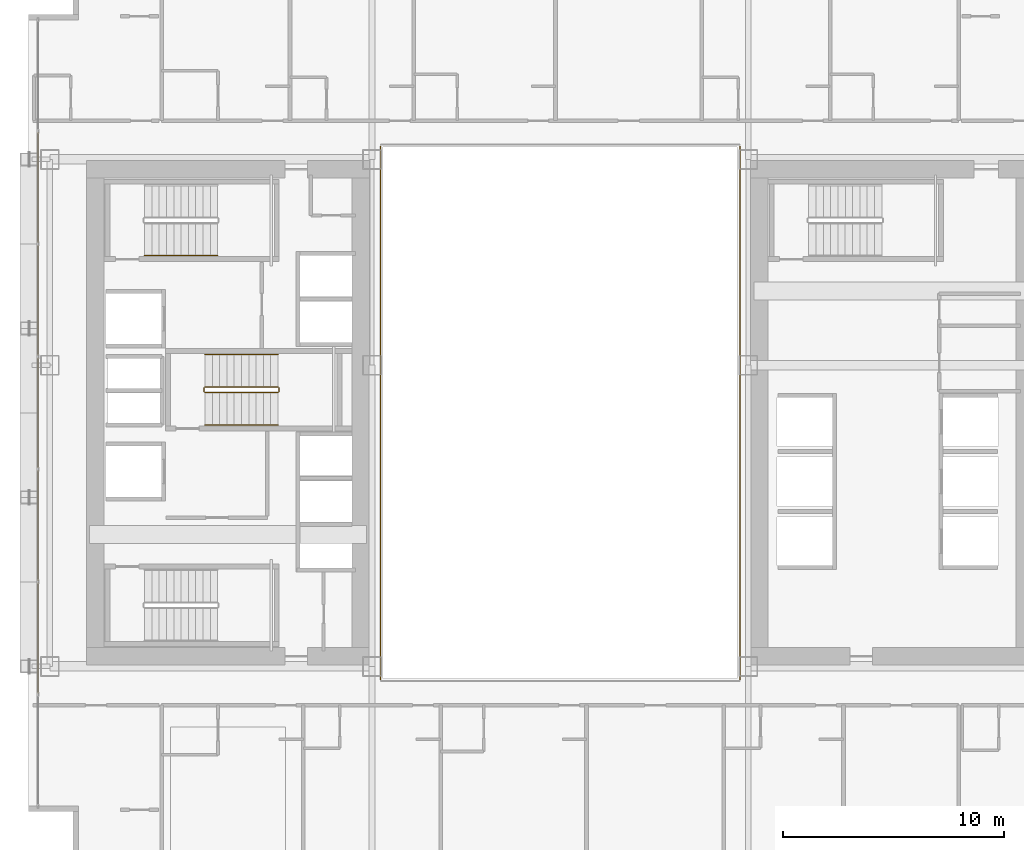
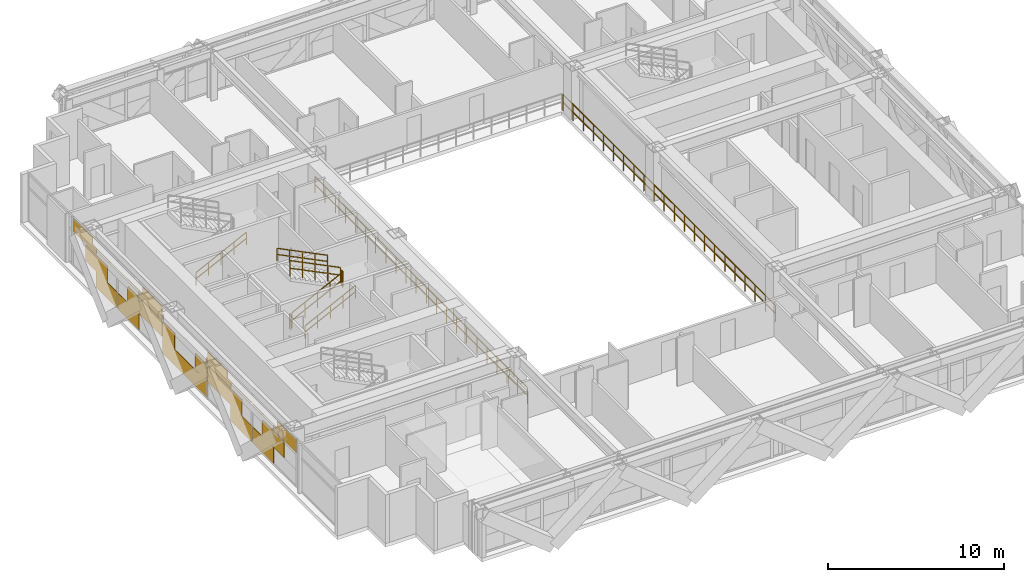
# One storey, part 36 of 38: 9 railings, 1 covering.
"""IFC4 building model written with IfcOpenShell, lengths in metres."""

from ifc_helpers import new_model, si_unit, direction, frame, origin, origin_2d, place, context, subcontext, project, spatial, rectangle, extrude, material, layer, layer_set, type_object, element, save


model = new_model("IFC4")

# Units and contexts
model_context = context("Model", 3, precision=1e-05, world=origin(), true_north=direction((0.0, 1.0)))
body_context = subcontext(model_context, "Body", "Model", "MODEL_VIEW")
ifc_project = project(units=[si_unit("LENGTHUNIT", "METRE"), si_unit("AREAUNIT", "SQUARE_METRE"), si_unit("VOLUMEUNIT", "CUBIC_METRE"), si_unit("PLANEANGLEUNIT", "RADIAN"), si_unit("MASSUNIT", "GRAM", prefix="KILO")], contexts=[model_context])

# Site, building, storey
site_placement = place(None, origin())
site = spatial("IfcSite", under=ifc_project, at=site_placement, CompositionType="ELEMENT")
building_placement = place(site_placement, origin())
building = spatial("IfcBuilding", under=site, at=building_placement, Name="Ocotamira Hotel", CompositionType="ELEMENT")
storey_placement = place(building_placement, frame((0.0, 0.0, 45.60009765625)))
storey = spatial("IfcBuildingStorey", under=building, at=storey_placement, Name="L10", CompositionType="ELEMENT", Elevation=45.60009765625)

# Covering
ifc_material_1 = material(Name="Insulated pale-metal aluminium spandrel panel", Category="aluminium")
ifc_layer = layer(ifc_material_1, 0.044921875)
ifc_layer_set = layer_set([ifc_layer], Name="Insulated pale-metal aluminium spandrel panel")
covering_type = type_object("IfcCoveringType", Name="COV-INFILL-45", PredefinedType="CLADDING", material=ifc_layer_set)
covering_placement = place(storey_placement, origin())
element("IfcCovering", 1, at=covering_placement, inside=storey, type_object=covering_type, Name="L10 Curtain Wall Infill CW-2 CW-L10-W", PredefinedType="CLADDING", context=body_context, shape_type="SweptSolid", body=[
    extrude(rectangle(XDim=2.49658203125, YDim=0.044921875, at=origin_2d()), frame((8.419921875, 15.977783203125, 1.194091796875), z_axis=(0.0, 0.0, 1.0), x_axis=(0.0, 1.0, 0.0)), (0.0, 0.0, 1.0), 1.11767578125),
    extrude(rectangle(XDim=2.415283203125, YDim=0.044921875, at=origin_2d()), frame((8.419921875, 17.123291015625, 0.0751953125), z_axis=(0.0, 0.0, 1.0), x_axis=(0.0, 1.0, 0.0)), (0.0, 0.0, 1.0), 1.117919921875),
    extrude(rectangle(XDim=2.634521484375, YDim=0.044921875, at=origin_2d()), frame((8.419921875, 14.6435546875, 2.3876953125), z_axis=(0.0, 0.0, 1.0), x_axis=(0.0, 1.0, 0.0)), (0.0, 0.0, 1.0), 0.366943359375),
    extrude(rectangle(XDim=5.004638671875, YDim=0.044921875, at=origin_2d()), frame((8.419921875, 15.82861328125, 2.755859375), z_axis=(0.0, 0.0, 1.0), x_axis=(0.0, 1.0, 0.0)), (0.0, 0.0, 1.0), 0.033203125),
    extrude(rectangle(XDim=2.2080078125, YDim=0.044921875, at=origin_2d()), frame((8.419921875, 14.43017578125, 2.7900390625), z_axis=(0.0, 0.0, 1.0), x_axis=(0.0, 1.0, 0.0)), (0.0, 0.0, 1.0), 0.484130859375),
    extrude(rectangle(XDim=2.40576171875, YDim=0.044921875, at=origin_2d()), frame((8.419921875, 19.61474609375, 0.0751953125), z_axis=(0.0, 0.0, 1.0), x_axis=(0.0, 1.0, 0.0)), (0.0, 0.0, 1.0), 1.117919921875),
    extrude(rectangle(XDim=3.90966796875, YDim=0.044921875, at=origin_2d()), frame((8.419921875, 21.4619140625, 1.194091796875), z_axis=(0.0, 0.0, 1.0), x_axis=(0.0, 1.0, 0.0)), (0.0, 0.0, 1.0), 1.11767578125),
    extrude(rectangle(XDim=5.004638671875, YDim=0.044921875, at=origin_2d()), frame((8.419921875, 20.914306640625, 2.755859375), z_axis=(0.0, 0.0, 1.0), x_axis=(0.0, 1.0, 0.0)), (0.0, 0.0, 1.0), 0.033203125),
    extrude(rectangle(XDim=2.64404296875, YDim=0.044921875, at=origin_2d()), frame((8.419921875, 22.094482421875, 2.3876953125), z_axis=(0.0, 0.0, 1.0), x_axis=(0.0, 1.0, 0.0)), (0.0, 0.0, 1.0), 0.366943359375),
    extrude(rectangle(XDim=2.217529296875, YDim=0.044921875, at=origin_2d()), frame((8.419921875, 22.307861328125, 2.7900390625), z_axis=(0.0, 0.0, 1.0), x_axis=(0.0, 1.0, 0.0)), (0.0, 0.0, 1.0), 0.484130859375),
    extrude(rectangle(XDim=5.004638671875, YDim=0.044921875, at=origin_2d()), frame((8.419921875, 26.0, 0.0751953125), z_axis=(0.0, 0.0, 1.0), x_axis=(0.0, 1.0, 0.0)), (0.0, 0.0, 1.0), 1.117919921875),
    extrude(rectangle(XDim=1.362060546875, YDim=0.044921875, at=origin_2d()), frame((8.419921875, 24.1787109375, 1.194091796875), z_axis=(0.0, 0.0, 1.0), x_axis=(0.0, 1.0, 0.0)), (0.0, 0.0, 1.0), 1.11767578125),
    extrude(rectangle(XDim=1.362060546875, YDim=0.044921875, at=origin_2d()), frame((8.419921875, 27.8212890625, 1.194091796875), z_axis=(0.0, 0.0, 1.0), x_axis=(0.0, 1.0, 0.0)), (0.0, 0.0, 1.0), 1.11767578125),
    extrude(rectangle(XDim=0.096435546875, YDim=0.044921875, at=origin_2d()), frame((8.419921875, 23.5458984375, 2.387939453125), z_axis=(0.0, 0.0, 1.0), x_axis=(0.0, 1.0, 0.0)), (0.0, 0.0, 1.0), 0.4013671875),
    extrude(rectangle(XDim=0.096435546875, YDim=0.044921875, at=origin_2d()), frame((8.419921875, 28.4541015625, 2.387939453125), z_axis=(0.0, 0.0, 1.0), x_axis=(0.0, 1.0, 0.0)), (0.0, 0.0, 1.0), 0.4013671875),
    extrude(rectangle(XDim=3.90966796875, YDim=0.044921875, at=origin_2d()), frame((8.419921875, 30.5380859375, 1.194091796875), z_axis=(0.0, 0.0, 1.0), x_axis=(0.0, 1.0, 0.0)), (0.0, 0.0, 1.0), 1.11767578125),
    extrude(rectangle(XDim=2.40576171875, YDim=0.044921875, at=origin_2d()), frame((8.419921875, 32.38525390625, 0.0751953125), z_axis=(0.0, 0.0, 1.0), x_axis=(0.0, 1.0, 0.0)), (0.0, 0.0, 1.0), 1.117919921875),
    extrude(rectangle(XDim=2.64404296875, YDim=0.044921875, at=origin_2d()), frame((8.419921875, 29.905517578125, 2.3876953125), z_axis=(0.0, 0.0, 1.0), x_axis=(0.0, 1.0, 0.0)), (0.0, 0.0, 1.0), 0.366943359375),
    extrude(rectangle(XDim=5.004638671875, YDim=0.044921875, at=origin_2d()), frame((8.419921875, 31.085693359375, 2.755859375), z_axis=(0.0, 0.0, 1.0), x_axis=(0.0, 1.0, 0.0)), (0.0, 0.0, 1.0), 0.033203125),
    extrude(rectangle(XDim=2.217529296875, YDim=0.044921875, at=origin_2d()), frame((8.419921875, 29.692138671875, 2.7900390625), z_axis=(0.0, 0.0, 1.0), x_axis=(0.0, 1.0, 0.0)), (0.0, 0.0, 1.0), 0.484130859375),
    extrude(rectangle(XDim=2.415283203125, YDim=0.044921875, at=origin_2d()), frame((8.419921875, 34.876708984375, 0.0751953125), z_axis=(0.0, 0.0, 1.0), x_axis=(0.0, 1.0, 0.0)), (0.0, 0.0, 1.0), 1.117919921875),
    extrude(rectangle(XDim=2.49658203125, YDim=0.044921875, at=origin_2d()), frame((8.419921875, 36.022216796875, 1.194091796875), z_axis=(0.0, 0.0, 1.0), x_axis=(0.0, 1.0, 0.0)), (0.0, 0.0, 1.0), 1.11767578125),
    extrude(rectangle(XDim=5.004638671875, YDim=0.044921875, at=origin_2d()), frame((8.419921875, 36.17138671875, 2.755859375), z_axis=(0.0, 0.0, 1.0), x_axis=(0.0, 1.0, 0.0)), (0.0, 0.0, 1.0), 0.033203125),
    extrude(rectangle(XDim=2.634521484375, YDim=0.044921875, at=origin_2d()), frame((8.419921875, 37.3564453125, 2.3876953125), z_axis=(0.0, 0.0, 1.0), x_axis=(0.0, 1.0, 0.0)), (0.0, 0.0, 1.0), 0.366943359375),
    extrude(rectangle(XDim=2.2080078125, YDim=0.044921875, at=origin_2d()), frame((8.419921875, 37.56982421875, 2.7900390625), z_axis=(0.0, 0.0, 1.0), x_axis=(0.0, 1.0, 0.0)), (0.0, 0.0, 1.0), 0.484130859375),
])

# Railings
ifc_material_2 = material(Name="Painted steel stair guardrail", Category="steel")
railing_type_1 = type_object("IfcRailingType", Name="RL-EDGE-1150", PredefinedType="GUARDRAIL", material=ifc_material_2)
railing_1_placement = place(storey_placement, frame((40.1201171875, 13.9599609375, 0.0)))
element("IfcRailing", 2, at=railing_1_placement, inside=storey, type_object=railing_type_1, Name="L10 Central Atrium Edge Guardrail E", PredefinedType="GUARDRAIL", context=body_context, shape_type="SweptSolid", body=[
    extrude(rectangle(XDim=0.048095703125, YDim=0.048095703125, at=origin_2d()), frame((0.0, 0.0, 1.1259765625), z_axis=(0.0, 1.0, 0.0), x_axis=(-1.0, 0.0, 0.0)), (0.0, 0.0, 1.0), 24.080078125),
    extrude(rectangle(XDim=0.048095703125, YDim=0.048095703125, at=origin_2d()), frame((0.0, 0.0, 0.574951171875), z_axis=(0.0, 1.0, 0.0), x_axis=(-1.0, 0.0, 0.0)), (0.0, 0.0, 1.0), 24.080078125),
    extrude(rectangle(XDim=0.0419921875, YDim=0.0419921875, at=origin_2d()), origin(), (0.0, 0.0, 1.0), 1.101806640625),
    extrude(rectangle(XDim=0.0419921875, YDim=0.0419921875, at=origin_2d()), frame((0.0, 1.146728515625, 0.0)), (0.0, 0.0, 1.0), 1.101806640625),
    extrude(rectangle(XDim=0.0419921875, YDim=0.0419921875, at=origin_2d()), frame((0.0, 2.29345703125, 0.0)), (0.0, 0.0, 1.0), 1.101806640625),
    extrude(rectangle(XDim=0.0419921875, YDim=0.0419921875, at=origin_2d()), frame((0.0, 3.43994140625, 0.0)), (0.0, 0.0, 1.0), 1.101806640625),
    extrude(rectangle(XDim=0.0419921875, YDim=0.0419921875, at=origin_2d()), frame((0.0, 4.586669921875, 0.0)), (0.0, 0.0, 1.0), 1.101806640625),
    extrude(rectangle(XDim=0.0419921875, YDim=0.0419921875, at=origin_2d()), frame((0.0, 5.7333984375, 0.0)), (0.0, 0.0, 1.0), 1.101806640625),
    extrude(rectangle(XDim=0.0419921875, YDim=0.0419921875, at=origin_2d()), frame((0.0, 6.880126953125, 0.0)), (0.0, 0.0, 1.0), 1.101806640625),
    extrude(rectangle(XDim=0.0419921875, YDim=0.0419921875, at=origin_2d()), frame((0.0, 8.026611328125, 0.0)), (0.0, 0.0, 1.0), 1.101806640625),
    extrude(rectangle(XDim=0.0419921875, YDim=0.0419921875, at=origin_2d()), frame((0.0, 9.17333984375, 0.0)), (0.0, 0.0, 1.0), 1.101806640625),
    extrude(rectangle(XDim=0.0419921875, YDim=0.0419921875, at=origin_2d()), frame((0.0, 10.320068359375, 0.0)), (0.0, 0.0, 1.0), 1.101806640625),
    extrude(rectangle(XDim=0.0419921875, YDim=0.0419921875, at=origin_2d()), frame((0.0, 11.466796875, 0.0)), (0.0, 0.0, 1.0), 1.101806640625),
    extrude(rectangle(XDim=0.0419921875, YDim=0.0419921875, at=origin_2d()), frame((0.0, 12.61328125, 0.0)), (0.0, 0.0, 1.0), 1.101806640625),
    extrude(rectangle(XDim=0.0419921875, YDim=0.0419921875, at=origin_2d()), frame((0.0, 13.760009765625, 0.0)), (0.0, 0.0, 1.0), 1.101806640625),
    extrude(rectangle(XDim=0.0419921875, YDim=0.0419921875, at=origin_2d()), frame((0.0, 14.90673828125, 0.0)), (0.0, 0.0, 1.0), 1.101806640625),
    extrude(rectangle(XDim=0.0419921875, YDim=0.0419921875, at=origin_2d()), frame((0.0, 16.053466796875, 0.0)), (0.0, 0.0, 1.0), 1.101806640625),
    extrude(rectangle(XDim=0.0419921875, YDim=0.0419921875, at=origin_2d()), frame((0.0, 17.199951171875, 0.0)), (0.0, 0.0, 1.0), 1.101806640625),
    extrude(rectangle(XDim=0.0419921875, YDim=0.0419921875, at=origin_2d()), frame((0.0, 18.3466796875, 0.0)), (0.0, 0.0, 1.0), 1.101806640625),
    extrude(rectangle(XDim=0.0419921875, YDim=0.0419921875, at=origin_2d()), frame((0.0, 19.493408203125, 0.0)), (0.0, 0.0, 1.0), 1.101806640625),
    extrude(rectangle(XDim=0.0419921875, YDim=0.0419921875, at=origin_2d()), frame((0.0, 20.64013671875, 0.0)), (0.0, 0.0, 1.0), 1.101806640625),
    extrude(rectangle(XDim=0.0419921875, YDim=0.0419921875, at=origin_2d()), frame((0.0, 21.78662109375, 0.0)), (0.0, 0.0, 1.0), 1.101806640625),
    extrude(rectangle(XDim=0.0419921875, YDim=0.0419921875, at=origin_2d()), frame((0.0, 22.933349609375, 0.0)), (0.0, 0.0, 1.0), 1.101806640625),
    extrude(rectangle(XDim=0.0419921875, YDim=0.0419921875, at=origin_2d()), frame((0.0, 24.080078125, 0.0)), (0.0, 0.0, 1.0), 1.101806640625),
])
railing_2_placement = place(storey_placement, frame((23.8798828125, 38.0400390625, 0.0)))
element("IfcRailing", 3, at=railing_2_placement, inside=storey, type_object=railing_type_1, Name="L10 Central Atrium Edge Guardrail W", PredefinedType="GUARDRAIL", context=body_context, shape_type="SweptSolid", body=[
    extrude(rectangle(XDim=0.048095703125, YDim=0.048095703125, at=origin_2d()), frame((0.0, 0.0, 1.1259765625), z_axis=(0.0, -1.0, 0.0), x_axis=(1.0, 0.0, 0.0)), (0.0, 0.0, 1.0), 24.080078125),
    extrude(rectangle(XDim=0.048095703125, YDim=0.048095703125, at=origin_2d()), frame((0.0, 0.0, 0.574951171875), z_axis=(0.0, -1.0, 0.0), x_axis=(1.0, 0.0, 0.0)), (0.0, 0.0, 1.0), 24.080078125),
    extrude(rectangle(XDim=0.0419921875, YDim=0.0419921875, at=origin_2d()), origin(), (0.0, 0.0, 1.0), 1.101806640625),
    extrude(rectangle(XDim=0.0419921875, YDim=0.0419921875, at=origin_2d()), frame((0.0, -1.146728515625, 0.0)), (0.0, 0.0, 1.0), 1.101806640625),
    extrude(rectangle(XDim=0.0419921875, YDim=0.0419921875, at=origin_2d()), frame((0.0, -2.29345703125, 0.0)), (0.0, 0.0, 1.0), 1.101806640625),
    extrude(rectangle(XDim=0.0419921875, YDim=0.0419921875, at=origin_2d()), frame((0.0, -3.43994140625, 0.0)), (0.0, 0.0, 1.0), 1.101806640625),
    extrude(rectangle(XDim=0.0419921875, YDim=0.0419921875, at=origin_2d()), frame((0.0, -4.586669921875, 0.0)), (0.0, 0.0, 1.0), 1.101806640625),
    extrude(rectangle(XDim=0.0419921875, YDim=0.0419921875, at=origin_2d()), frame((0.0, -5.7333984375, 0.0)), (0.0, 0.0, 1.0), 1.101806640625),
    extrude(rectangle(XDim=0.0419921875, YDim=0.0419921875, at=origin_2d()), frame((0.0, -6.880126953125, 0.0)), (0.0, 0.0, 1.0), 1.101806640625),
    extrude(rectangle(XDim=0.0419921875, YDim=0.0419921875, at=origin_2d()), frame((0.0, -8.026611328125, 0.0)), (0.0, 0.0, 1.0), 1.101806640625),
    extrude(rectangle(XDim=0.0419921875, YDim=0.0419921875, at=origin_2d()), frame((0.0, -9.17333984375, 0.0)), (0.0, 0.0, 1.0), 1.101806640625),
    extrude(rectangle(XDim=0.0419921875, YDim=0.0419921875, at=origin_2d()), frame((0.0, -10.320068359375, 0.0)), (0.0, 0.0, 1.0), 1.101806640625),
    extrude(rectangle(XDim=0.0419921875, YDim=0.0419921875, at=origin_2d()), frame((0.0, -11.466796875, 0.0)), (0.0, 0.0, 1.0), 1.101806640625),
    extrude(rectangle(XDim=0.0419921875, YDim=0.0419921875, at=origin_2d()), frame((0.0, -12.61328125, 0.0)), (0.0, 0.0, 1.0), 1.101806640625),
    extrude(rectangle(XDim=0.0419921875, YDim=0.0419921875, at=origin_2d()), frame((0.0, -13.760009765625, 0.0)), (0.0, 0.0, 1.0), 1.101806640625),
    extrude(rectangle(XDim=0.0419921875, YDim=0.0419921875, at=origin_2d()), frame((0.0, -14.90673828125, 0.0)), (0.0, 0.0, 1.0), 1.101806640625),
    extrude(rectangle(XDim=0.0419921875, YDim=0.0419921875, at=origin_2d()), frame((0.0, -16.053466796875, 0.0)), (0.0, 0.0, 1.0), 1.101806640625),
    extrude(rectangle(XDim=0.0419921875, YDim=0.0419921875, at=origin_2d()), frame((0.0, -17.199951171875, 0.0)), (0.0, 0.0, 1.0), 1.101806640625),
    extrude(rectangle(XDim=0.0419921875, YDim=0.0419921875, at=origin_2d()), frame((0.0, -18.3466796875, 0.0)), (0.0, 0.0, 1.0), 1.101806640625),
    extrude(rectangle(XDim=0.0419921875, YDim=0.0419921875, at=origin_2d()), frame((0.0, -19.493408203125, 0.0)), (0.0, 0.0, 1.0), 1.101806640625),
    extrude(rectangle(XDim=0.0419921875, YDim=0.0419921875, at=origin_2d()), frame((0.0, -20.64013671875, 0.0)), (0.0, 0.0, 1.0), 1.101806640625),
    extrude(rectangle(XDim=0.0419921875, YDim=0.0419921875, at=origin_2d()), frame((0.0, -21.78662109375, 0.0)), (0.0, 0.0, 1.0), 1.101806640625),
    extrude(rectangle(XDim=0.0419921875, YDim=0.0419921875, at=origin_2d()), frame((0.0, -22.933349609375, 0.0)), (0.0, 0.0, 1.0), 1.101806640625),
    extrude(rectangle(XDim=0.0419921875, YDim=0.0419921875, at=origin_2d()), frame((0.0, -24.080078125, 0.0)), (0.0, 0.0, 1.0), 1.101806640625),
])
ifc_material_3 = material(Name="Brushed stainless steel handrail", Category="steel")
railing_type_2 = type_object("IfcRailingType", Name="RL-HAND-900", PredefinedType="HANDRAIL", material=ifc_material_3)
for number, where, name in (
    (4, (13.22998046875, 33.10009765625, 0.3271484375), "L10 ST-2 stair handrail 1"),
    (5, (15.9599609375, 25.449951171875, 0.3271484375), "L10 ST-3 stair handrail 1"),
):
    element("IfcRailing", number, at=place(storey_placement, frame(where)), inside=storey, type_object=railing_type_2, Name=name, PredefinedType="HANDRAIL", context=body_context, shape_type="SweptSolid", body=[
        extrude(rectangle(XDim=0.048095703125, YDim=0.048095703125, at=origin_2d()), frame((0.0, 0.0, 0.8759765625), z_axis=(0.895893744519, 0.0, 0.4442683857), x_axis=(0.0, 1.0, 0.0)), (0.0, 0.0, 1.0), 3.68359375),
        extrude(rectangle(XDim=0.048095703125, YDim=0.048095703125, at=origin_2d()), frame((0.0, 0.0, 0.449951171875), z_axis=(0.895893744519, 0.0, 0.4442683857), x_axis=(0.0, 1.0, 0.0)), (0.0, 0.0, 1.0), 3.68359375),
        extrude(rectangle(XDim=0.0419921875, YDim=0.0419921875, at=origin_2d()), origin(), (0.0, 0.0, 1.0), 0.851806640625),
        extrude(rectangle(XDim=0.0419921875, YDim=0.0419921875, at=origin_2d()), frame((0.824951171875, 0.0, 0.4091796875)), (0.0, 0.0, 1.0), 0.851806640625),
        extrude(rectangle(XDim=0.0419921875, YDim=0.0419921875, at=origin_2d()), frame((1.64990234375, 0.0, 0.818359375)), (0.0, 0.0, 1.0), 0.851806640625),
        extrude(rectangle(XDim=0.0419921875, YDim=0.0419921875, at=origin_2d()), frame((2.47509765625, 0.0, 1.227294921875)), (0.0, 0.0, 1.0), 0.851806640625),
        extrude(rectangle(XDim=0.0419921875, YDim=0.0419921875, at=origin_2d()), frame((3.300048828125, 0.0, 1.636474609375)), (0.0, 0.0, 1.0), 0.851806640625),
    ])
railing_3_placement = place(storey_placement, frame((19.260009765625, 28.6298828125, 2.127197265625)))
element("IfcRailing", 6, at=railing_3_placement, inside=storey, type_object=railing_type_2, Name="L10 ST-3 stair handrail 2", PredefinedType="HANDRAIL", context=body_context, shape_type="SweptSolid", body=[
    extrude(rectangle(XDim=0.048095703125, YDim=0.048095703125, at=origin_2d()), frame((0.0, 0.0, 0.8759765625), z_axis=(-0.895920123917, 0.0, 0.444215186098), x_axis=(0.0, -1.0, 0.0)), (0.0, 0.0, 1.0), 3.683349609375),
    extrude(rectangle(XDim=0.048095703125, YDim=0.048095703125, at=origin_2d()), frame((0.0, 0.0, 0.449951171875), z_axis=(-0.895920123917, 0.0, 0.444215186098), x_axis=(0.0, -1.0, 0.0)), (0.0, 0.0, 1.0), 3.683349609375),
    extrude(rectangle(XDim=0.0419921875, YDim=0.0419921875, at=origin_2d()), origin(), (0.0, 0.0, 1.0), 0.851806640625),
    extrude(rectangle(XDim=0.0419921875, YDim=0.0419921875, at=origin_2d()), frame((-0.824951171875, 0.0, 0.4091796875)), (0.0, 0.0, 1.0), 0.851806640625),
    extrude(rectangle(XDim=0.0419921875, YDim=0.0419921875, at=origin_2d()), frame((-1.64990234375, 0.0, 0.818115234375)), (0.0, 0.0, 1.0), 0.851806640625),
    extrude(rectangle(XDim=0.0419921875, YDim=0.0419921875, at=origin_2d()), frame((-2.47509765625, 0.0, 1.22705078125)), (0.0, 0.0, 1.0), 0.851806640625),
    extrude(rectangle(XDim=0.0419921875, YDim=0.0419921875, at=origin_2d()), frame((-3.300048828125, 0.0, 1.63623046875)), (0.0, 0.0, 1.0), 0.851806640625),
])
railing_type_3 = type_object("IfcRailingType", Name="RL-STAIR-1100", PredefinedType="GUARDRAIL", material=ifc_material_2)
railing_4_placement = place(storey_placement, frame((15.9599609375, 26.909912109375, 0.16357421875)))
element("IfcRailing", 7, at=railing_4_placement, inside=storey, type_object=railing_type_3, Name="L10 ST-3 stair guard 1", PredefinedType="GUARDRAIL", context=body_context, shape_type="SweptSolid", body=[
    extrude(rectangle(XDim=0.048095703125, YDim=0.048095703125, at=origin_2d()), frame((0.0, 0.0, 1.076171875), z_axis=(0.895920123917, 0.0, 0.444215186098), x_axis=(0.0, 1.0, 0.0)), (0.0, 0.0, 1.0), 3.683349609375),
    extrude(rectangle(XDim=0.048095703125, YDim=0.048095703125, at=origin_2d()), frame((0.0, 0.0, 0.550048828125), z_axis=(0.895920123917, 0.0, 0.444215186098), x_axis=(0.0, 1.0, 0.0)), (0.0, 0.0, 1.0), 3.683349609375),
    extrude(rectangle(XDim=0.0419921875, YDim=0.0419921875, at=origin_2d()), origin(), (0.0, 0.0, 1.0), 1.052001953125),
    extrude(rectangle(XDim=0.0419921875, YDim=0.0419921875, at=origin_2d()), frame((0.824951171875, 0.0, 0.4091796875)), (0.0, 0.0, 1.0), 1.052001953125),
    extrude(rectangle(XDim=0.0419921875, YDim=0.0419921875, at=origin_2d()), frame((1.64990234375, 0.0, 0.818115234375)), (0.0, 0.0, 1.0), 1.052001953125),
    extrude(rectangle(XDim=0.0419921875, YDim=0.0419921875, at=origin_2d()), frame((2.47509765625, 0.0, 1.22705078125)), (0.0, 0.0, 1.0), 1.052001953125),
    extrude(rectangle(XDim=0.0419921875, YDim=0.0419921875, at=origin_2d()), frame((3.300048828125, 0.0, 1.63623046875)), (0.0, 0.0, 1.0), 1.052001953125),
])
railing_5_placement = place(storey_placement, frame((19.31005859375, 26.9599609375, 1.7998046875)))
element("IfcRailing", 8, at=railing_5_placement, inside=storey, type_object=railing_type_3, Name="L10 ST-3 stair guard 2", PredefinedType="GUARDRAIL", context=body_context, shape_type="SweptSolid", body=[
    extrude(rectangle(XDim=0.048095703125, YDim=0.048095703125, at=origin_2d()), frame((0.0, 0.0, 1.076171875), z_axis=(0.0, 1.0, 0.0), x_axis=(-1.0, 0.0, 0.0)), (0.0, 0.0, 1.0), 0.16015625),
    extrude(rectangle(XDim=0.048095703125, YDim=0.048095703125, at=origin_2d()), frame((0.0, 0.0, 0.550048828125), z_axis=(0.0, 1.0, 0.0), x_axis=(-1.0, 0.0, 0.0)), (0.0, 0.0, 1.0), 0.16015625),
    extrude(rectangle(XDim=0.0419921875, YDim=0.0419921875, at=origin_2d()), origin(), (0.0, 0.0, 1.0), 1.052001953125),
    extrude(rectangle(XDim=0.0419921875, YDim=0.0419921875, at=origin_2d()), frame((0.0, 0.16015625, 0.0)), (0.0, 0.0, 1.0), 1.052001953125),
])
railing_6_placement = place(storey_placement, frame((19.260009765625, 27.169921875, 1.963623046875)))
element("IfcRailing", 9, at=railing_6_placement, inside=storey, type_object=railing_type_3, Name="L10 ST-3 stair guard 3", PredefinedType="GUARDRAIL", context=body_context, shape_type="SweptSolid", body=[
    extrude(rectangle(XDim=0.048095703125, YDim=0.048095703125, at=origin_2d()), frame((0.0, 0.0, 1.076171875), z_axis=(-0.895920123917, 0.0, 0.444215186098), x_axis=(0.0, -1.0, 0.0)), (0.0, 0.0, 1.0), 3.683349609375),
    extrude(rectangle(XDim=0.048095703125, YDim=0.048095703125, at=origin_2d()), frame((0.0, 0.0, 0.550048828125), z_axis=(-0.895920123917, 0.0, 0.444215186098), x_axis=(0.0, -1.0, 0.0)), (0.0, 0.0, 1.0), 3.683349609375),
    extrude(rectangle(XDim=0.0419921875, YDim=0.0419921875, at=origin_2d()), origin(), (0.0, 0.0, 1.0), 1.052001953125),
    extrude(rectangle(XDim=0.0419921875, YDim=0.0419921875, at=origin_2d()), frame((-0.824951171875, 0.0, 0.4091796875)), (0.0, 0.0, 1.0), 1.052001953125),
    extrude(rectangle(XDim=0.0419921875, YDim=0.0419921875, at=origin_2d()), frame((-1.64990234375, 0.0, 0.818115234375)), (0.0, 0.0, 1.0), 1.052001953125),
    extrude(rectangle(XDim=0.0419921875, YDim=0.0419921875, at=origin_2d()), frame((-2.47509765625, 0.0, 1.22705078125)), (0.0, 0.0, 1.0), 1.052001953125),
    extrude(rectangle(XDim=0.0419921875, YDim=0.0419921875, at=origin_2d()), frame((-3.300048828125, 0.0, 1.63623046875)), (0.0, 0.0, 1.0), 1.052001953125),
])
railing_7_placement = place(storey_placement, frame((15.909912109375, 26.9599609375, 0.0)))
element("IfcRailing", 10, at=railing_7_placement, inside=storey, type_object=railing_type_3, Name="L10 ST-3 stair guard 4", PredefinedType="GUARDRAIL", context=body_context, shape_type="SweptSolid", body=[
    extrude(rectangle(XDim=0.048095703125, YDim=0.048095703125, at=origin_2d()), frame((0.0, 0.0, 1.076171875), z_axis=(0.0, 1.0, 0.0), x_axis=(-1.0, 0.0, 0.0)), (0.0, 0.0, 1.0), 0.16015625),
    extrude(rectangle(XDim=0.048095703125, YDim=0.048095703125, at=origin_2d()), frame((0.0, 0.0, 0.550048828125), z_axis=(0.0, 1.0, 0.0), x_axis=(-1.0, 0.0, 0.0)), (0.0, 0.0, 1.0), 0.16015625),
    extrude(rectangle(XDim=0.0419921875, YDim=0.0419921875, at=origin_2d()), origin(), (0.0, 0.0, 1.0), 1.052001953125),
    extrude(rectangle(XDim=0.0419921875, YDim=0.0419921875, at=origin_2d()), frame((0.0, 0.16015625, 0.0)), (0.0, 0.0, 1.0), 1.052001953125),
])

save(model, "model.ifc")
